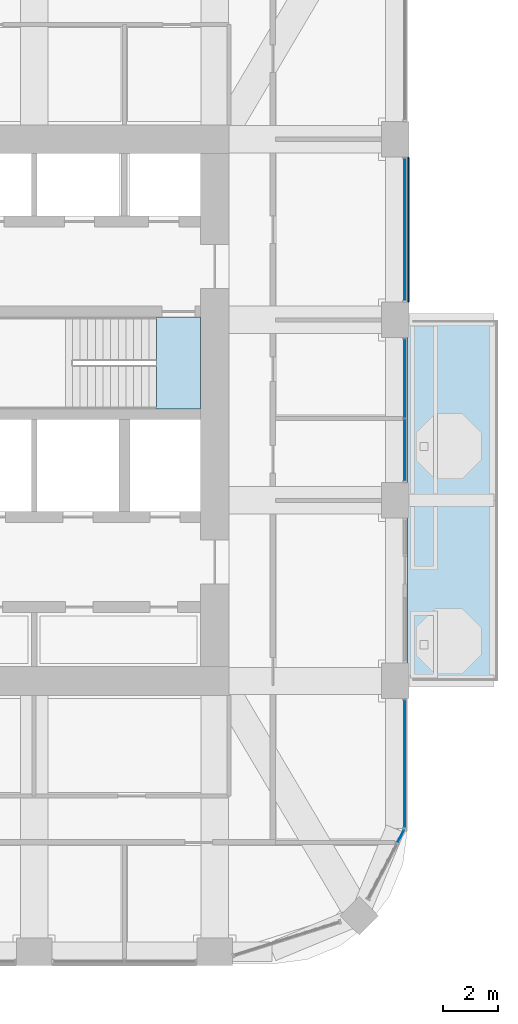
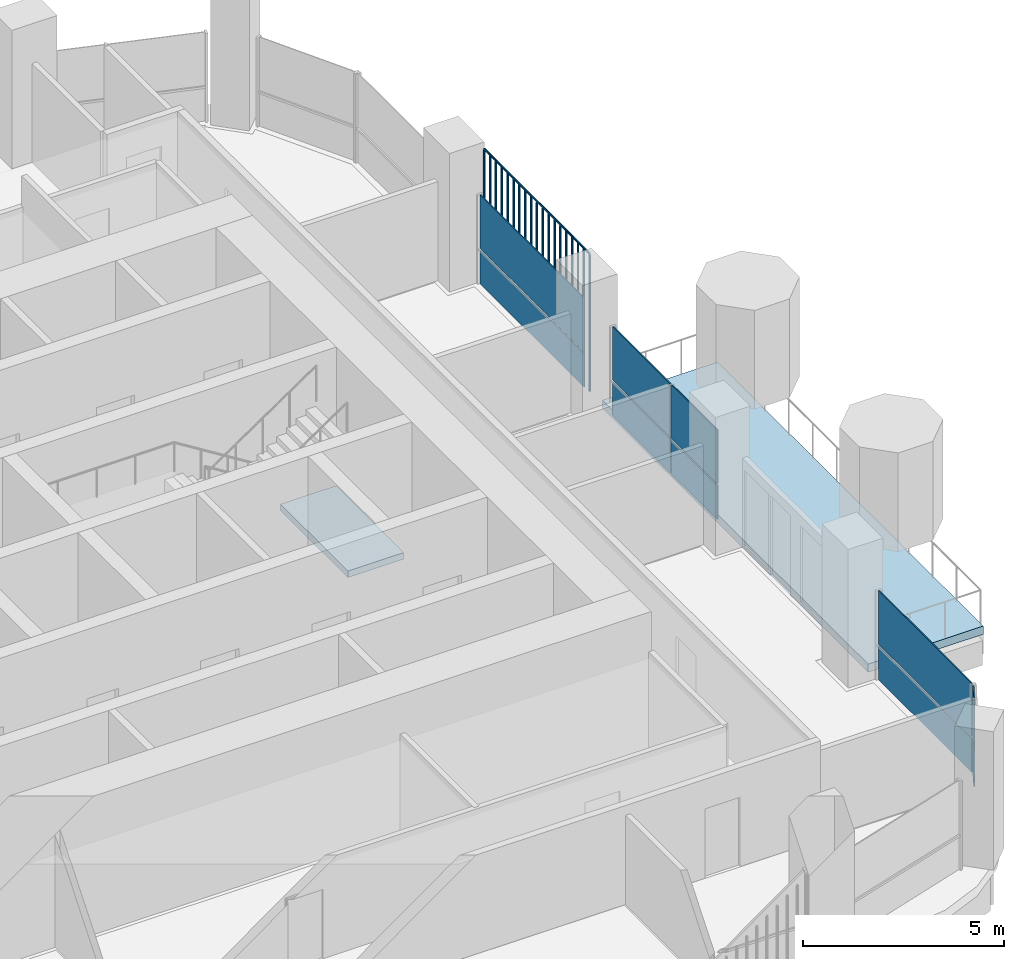
# One storey, part 10 of 20: 11 plates, 2 slabs, 5 elements without a shape of their own.
"""IFC4 building model written with IfcOpenShell, lengths in metres."""

from ifc_helpers import new_model, si_unit, direction, frame, origin, origin_2d, place, context, subcontext, project, spatial, polyline, rectangle, outline, extrude, material, layer, layer_set, type_object, element, aggregate, save


model = new_model("IFC4")

# Units and contexts
model_context = context("Model", 3, precision=1e-05, world=origin(), true_north=direction((0.0, 1.0)))
body_context = subcontext(model_context, "Body", "Model", "MODEL_VIEW")
ifc_project = project(units=[si_unit("LENGTHUNIT", "METRE"), si_unit("AREAUNIT", "SQUARE_METRE"), si_unit("VOLUMEUNIT", "CUBIC_METRE"), si_unit("PLANEANGLEUNIT", "RADIAN"), si_unit("MASSUNIT", "GRAM", prefix="KILO")], contexts=[model_context])

# Site, building, storey
site_placement = place(None, origin())
site = spatial("IfcSite", under=ifc_project, at=site_placement, CompositionType="ELEMENT")
building_placement = place(site_placement, origin())
building = spatial("IfcBuilding", under=site, at=building_placement, Name="Cobogo Forest Laboratory Tower", CompositionType="ELEMENT")
storey_placement = place(building_placement, frame((0.0, 0.0, 246.0)))
storey = spatial("IfcBuildingStorey", under=building, at=storey_placement, Name="L56", CompositionType="ELEMENT", Elevation=246.0)

# Slab
ifc_material_1 = material(Name="Concrete HA-40 (C40/50)", Category="concrete")
ifc_layer_1 = layer(ifc_material_1, 0.25)
ifc_layer_set_1 = layer_set([ifc_layer_1], Name="Balcony slab 250")
slab_type_1 = type_object("IfcSlabType", Name="Balcony slab 250", PredefinedType="FLOOR", material=ifc_layer_set_1)
slab_1_placement = place(storey_placement, frame((0.0, 0.0, -0.25)))
element("IfcSlab", 1, at=slab_1_placement, inside=storey, type_object=slab_type_1, Name="Balcony BAL-E1 L56", PredefinedType="FLOOR", context=body_context, shape_type="SweptSolid", body=[
    extrude(outline(polyline([(46.64990234375, 13.199951171875), (49.949951171875, 13.199951171875), (49.949951171875, 26.39990234375), (46.64990234375, 26.39990234375), (46.64990234375, 13.199951171875)])), origin(), (0.0, 0.0, 1.0), 0.25),
])

# Curtain wall, plates
ifc_material_2 = material(Name="Aluminium curtain wall", Category="aluminium")
curtain_wall_type = type_object("IfcCurtainWallType", Name="CW-2 unitised curtain wall, solar control glazing, laboratory floors zones C and D", PredefinedType="USERDEFINED", material=ifc_material_2)
curtain_wall_1_placement = place(storey_placement, origin())
curtain_wall_1 = element("IfcCurtainWall", 2, at=curtain_wall_1_placement, inside=storey, type_object=curtain_wall_type, Name="Curtain wall 06 L56", ObjectType="UNITISED CURTAIN WALL", PredefinedType="USERDEFINED")
ifc_material_3 = material(Name="Solar control insulated glass", Category="glass")
ifc_layer_2 = layer(ifc_material_3, 0.031982421875)
ifc_layer_set_2 = layer_set([ifc_layer_2], Name="GP-2 solar control glass unit 32")
plate_type_1 = type_object("IfcPlateType", Name="GP-2 solar control glass unit 32", PredefinedType="CURTAIN_PANEL", material=ifc_layer_set_2)
plate_1_placement = place(storey_placement, frame((46.40234375, 7.51806640625, 0.0), z_axis=(0.0, 0.0, 1.0), x_axis=(0.464283791352, 0.885686491422, 0.0)))
plate_1 = element("IfcPlate", 3, at=plate_1_placement, type_object=plate_type_1, Name="CW-2 panel 2.1", PredefinedType="CURTAIN_PANEL", context=body_context, shape_type="SweptSolid", body=[
    extrude(rectangle(XDim=0.516357421875, YDim=0.031982421875, at=origin_2d()), origin(), (0.0, 0.0, 1.0), 1.02001953125),
])
plate_2_placement = place(storey_placement, frame((46.40234375, 7.51806640625, 1.079833984375), z_axis=(0.0, 0.0, 1.0), x_axis=(0.464283791352, 0.885686491422, 0.0)))
plate_2 = element("IfcPlate", 4, at=plate_2_placement, type_object=plate_type_1, Name="CW-2 panel 2.2", PredefinedType="CURTAIN_PANEL", context=body_context, shape_type="SweptSolid", body=[
    extrude(rectangle(XDim=0.516357421875, YDim=0.031982421875, at=origin_2d()), origin(), (0.0, 0.0, 1.0), 1.6201171875),
])
aggregate(curtain_wall_1, [plate_1, plate_2])

curtain_wall_2_placement = place(storey_placement, origin())
curtain_wall_2 = element("IfcCurtainWall", 5, at=curtain_wall_2_placement, inside=storey, type_object=curtain_wall_type, Name="Curtain wall 07 L56", ObjectType="UNITISED CURTAIN WALL", PredefinedType="USERDEFINED")
plate_3_placement = place(storey_placement, frame((46.550048828125, 10.175048828125, 0.0), z_axis=(0.0, 0.0, 1.0), x_axis=(0.0, 1.0, 0.0)))
plate_3 = element("IfcPlate", 6, at=plate_3_placement, type_object=plate_type_1, Name="CW-2 panel 1.1", PredefinedType="CURTAIN_PANEL", context=body_context, shape_type="SweptSolid", body=[
    extrude(rectangle(XDim=4.6298828125, YDim=0.031982421875, at=origin_2d()), origin(), (0.0, 0.0, 1.0), 1.02001953125),
])
plate_4_placement = place(storey_placement, frame((46.550048828125, 10.175048828125, 1.079833984375), z_axis=(0.0, 0.0, 1.0), x_axis=(0.0, 1.0, 0.0)))
plate_4 = element("IfcPlate", 7, at=plate_4_placement, type_object=plate_type_1, Name="CW-2 panel 1.2", PredefinedType="CURTAIN_PANEL", context=body_context, shape_type="SweptSolid", body=[
    extrude(rectangle(XDim=4.6298828125, YDim=0.031982421875, at=origin_2d()), origin(), (0.0, 0.0, 1.0), 1.6201171875),
])
aggregate(curtain_wall_2, [plate_3, plate_4])

curtain_wall_3_placement = place(storey_placement, origin())
curtain_wall_3 = element("IfcCurtainWall", 8, at=curtain_wall_3_placement, inside=storey, type_object=curtain_wall_type, Name="Curtain wall 09 L56", ObjectType="UNITISED CURTAIN WALL", PredefinedType="USERDEFINED")
plate_5_placement = place(storey_placement, frame((46.550048828125, 21.639892578125, 0.0), z_axis=(0.0, 0.0, 1.0), x_axis=(0.0, 1.0, 0.0)))
plate_5 = element("IfcPlate", 9, at=plate_5_placement, type_object=plate_type_1, Name="CW-2 panel 1.1", PredefinedType="CURTAIN_PANEL", context=body_context, shape_type="SweptSolid", body=[
    extrude(rectangle(XDim=2.260009765625, YDim=0.031982421875, at=origin_2d()), origin(), (0.0, 0.0, 1.0), 1.02001953125),
])
plate_6_placement = place(storey_placement, frame((46.550048828125, 21.639892578125, 1.079833984375), z_axis=(0.0, 0.0, 1.0), x_axis=(0.0, 1.0, 0.0)))
plate_6 = element("IfcPlate", 10, at=plate_6_placement, type_object=plate_type_1, Name="CW-2 panel 1.2", PredefinedType="CURTAIN_PANEL", context=body_context, shape_type="SweptSolid", body=[
    extrude(rectangle(XDim=2.260009765625, YDim=0.031982421875, at=origin_2d()), origin(), (0.0, 0.0, 1.0), 1.6201171875),
])
plate_7_placement = place(storey_placement, frame((46.550048828125, 24.260009765625, 0.0), z_axis=(0.0, 0.0, 1.0), x_axis=(0.0, 1.0, 0.0)))
plate_7 = element("IfcPlate", 11, at=plate_7_placement, type_object=plate_type_1, Name="CW-2 panel 2.1", PredefinedType="CURTAIN_PANEL", context=body_context, shape_type="SweptSolid", body=[
    extrude(rectangle(XDim=2.860107421875, YDim=0.031982421875, at=origin_2d()), origin(), (0.0, 0.0, 1.0), 1.02001953125),
])
plate_8_placement = place(storey_placement, frame((46.550048828125, 24.260009765625, 1.079833984375), z_axis=(0.0, 0.0, 1.0), x_axis=(0.0, 1.0, 0.0)))
plate_8 = element("IfcPlate", 12, at=plate_8_placement, type_object=plate_type_1, Name="CW-2 panel 2.2", PredefinedType="CURTAIN_PANEL", context=body_context, shape_type="SweptSolid", body=[
    extrude(rectangle(XDim=2.860107421875, YDim=0.031982421875, at=origin_2d()), origin(), (0.0, 0.0, 1.0), 1.6201171875),
])
aggregate(curtain_wall_3, [plate_5, plate_6, plate_7, plate_8])

curtain_wall_4_placement = place(storey_placement, origin())
curtain_wall_4 = element("IfcCurtainWall", 13, at=curtain_wall_4_placement, inside=storey, type_object=curtain_wall_type, Name="Curtain wall 10 L56", ObjectType="UNITISED CURTAIN WALL", PredefinedType="USERDEFINED")
plate_9_placement = place(storey_placement, frame((46.550048828125, 29.699951171875, 0.0), z_axis=(0.0, 0.0, 1.0), x_axis=(0.0, 1.0, 0.0)))
plate_9 = element("IfcPlate", 14, at=plate_9_placement, type_object=plate_type_1, Name="CW-2 panel 1.1", PredefinedType="CURTAIN_PANEL", context=body_context, shape_type="SweptSolid", body=[
    extrude(rectangle(XDim=5.179931640625, YDim=0.031982421875, at=origin_2d()), origin(), (0.0, 0.0, 1.0), 1.02001953125),
])
plate_10_placement = place(storey_placement, frame((46.550048828125, 29.699951171875, 1.079833984375), z_axis=(0.0, 0.0, 1.0), x_axis=(0.0, 1.0, 0.0)))
plate_10 = element("IfcPlate", 15, at=plate_10_placement, type_object=plate_type_1, Name="CW-2 panel 1.2", PredefinedType="CURTAIN_PANEL", context=body_context, shape_type="SweptSolid", body=[
    extrude(rectangle(XDim=5.179931640625, YDim=0.031982421875, at=origin_2d()), origin(), (0.0, 0.0, 1.0), 1.6201171875),
])
aggregate(curtain_wall_4, [plate_9, plate_10])

# Stair, slab
ifc_material_4 = material(Name="Precast concrete HA-40 (C40/50)", Category="concrete")
stair_type = type_object("IfcStairType", Name="ST24 exit stair 24 risers", PredefinedType="HALF_TURN_STAIR", material=ifc_material_4)
stair_placement = place(storey_placement, origin())
stair = element("IfcStair", 16, at=stair_placement, inside=storey, type_object=stair_type, Name="Stair 2 L56 to L57", PredefinedType="HALF_TURN_STAIR")
ifc_layer_3 = layer(ifc_material_1, 0.199951171875)
ifc_layer_set_3 = layer_set([ifc_layer_3], Name="SL stair landing 200")
slab_type_2 = type_object("IfcSlabType", Name="SL stair landing 200", PredefinedType="LANDING", material=ifc_layer_set_3)
slab_2_placement = place(storey_placement, frame((0.0, 0.0, -0.199951171875)))
slab_2 = element("IfcSlab", 17, at=slab_2_placement, type_object=slab_type_2, Name="ST2 landing 1", PredefinedType="LANDING", context=body_context, shape_type="SweptSolid", body=[
    extrude(outline(polyline([(37.472900390625, 23.14990234375), (39.074951171875, 23.14990234375), (39.074951171875, 26.5), (37.472900390625, 26.5), (37.472900390625, 23.14990234375)])), origin(), (0.0, 0.0, 1.0), 0.199951171875),
])
aggregate(stair, [slab_2])

# Plate
ifc_material_5 = material(Name="Terracotta", Category="masonry")
plate_type_2 = type_object("IfcPlateType", Name="TB1 terracotta baguette screen", PredefinedType="USERDEFINED", material=ifc_material_5)
plate_11_placement = place(storey_placement, frame((46.677978515625, 27.081298828125, -0.14990234375)))
element("IfcPlate", 18, at=plate_11_placement, inside=storey, type_object=plate_type_2, Name="Baguette screen E3 L56", ObjectType="BAGUETTE SCREEN", PredefinedType="USERDEFINED", context=body_context, shape_type="SweptSolid", body=[
    extrude(outline(polyline([(0.02880859375, 0.011962890625), (0.011962890625, 0.02880859375), (-0.011962890625, 0.02880859375), (-0.02880859375, 0.011962890625), (-0.02880859375, -0.011962890625), (-0.011962890625, -0.02880859375), (0.011962890625, -0.02880859375), (0.02880859375, -0.011962890625), (0.02880859375, 0.011962890625)])), frame((0.0, 0.0, 4.168701171875), z_axis=(0.0, 1.0, 0.0), x_axis=(-1.0, 0.0, 0.0)), (0.0, 0.0, 1.0), 5.237548828125),
    extrude(outline(polyline([(0.02880859375, 0.011962890625), (0.011962890625, 0.02880859375), (-0.011962890625, 0.02880859375), (-0.02880859375, 0.011962890625), (-0.02880859375, -0.011962890625), (-0.011962890625, -0.02880859375), (0.011962890625, -0.02880859375), (0.02880859375, -0.011962890625), (0.02880859375, 0.011962890625)])), origin(), (0.0, 0.0, 1.0), 4.137451171875),
    extrude(outline(polyline([(0.02880859375, 0.011962890625), (0.011962890625, 0.02880859375), (-0.011962890625, 0.02880859375), (-0.02880859375, 0.011962890625), (-0.02880859375, -0.011962890625), (-0.011962890625, -0.02880859375), (0.011962890625, -0.02880859375), (0.02880859375, -0.011962890625), (0.02880859375, 0.011962890625)])), frame((0.0, 0.291015625, 0.0)), (0.0, 0.0, 1.0), 4.137451171875),
    extrude(outline(polyline([(0.02880859375, 0.011962890625), (0.011962890625, 0.02880859375), (-0.011962890625, 0.02880859375), (-0.02880859375, 0.011962890625), (-0.02880859375, -0.011962890625), (-0.011962890625, -0.02880859375), (0.011962890625, -0.02880859375), (0.02880859375, -0.011962890625), (0.02880859375, 0.011962890625)])), frame((0.0, 0.58203125, 0.0)), (0.0, 0.0, 1.0), 4.137451171875),
    extrude(outline(polyline([(0.02880859375, 0.011962890625), (0.011962890625, 0.02880859375), (-0.011962890625, 0.02880859375), (-0.02880859375, 0.011962890625), (-0.02880859375, -0.011962890625), (-0.011962890625, -0.02880859375), (0.011962890625, -0.02880859375), (0.02880859375, -0.011962890625), (0.02880859375, 0.011962890625)])), frame((0.0, 0.873046875, 0.0)), (0.0, 0.0, 1.0), 4.137451171875),
    extrude(outline(polyline([(0.02880859375, 0.011962890625), (0.011962890625, 0.02880859375), (-0.011962890625, 0.02880859375), (-0.02880859375, 0.011962890625), (-0.02880859375, -0.011962890625), (-0.011962890625, -0.02880859375), (0.011962890625, -0.02880859375), (0.02880859375, -0.011962890625), (0.02880859375, 0.011962890625)])), frame((0.0, 1.163818359375, 0.0)), (0.0, 0.0, 1.0), 4.137451171875),
    extrude(outline(polyline([(0.02880859375, 0.011962890625), (0.011962890625, 0.02880859375), (-0.011962890625, 0.02880859375), (-0.02880859375, 0.011962890625), (-0.02880859375, -0.011962890625), (-0.011962890625, -0.02880859375), (0.011962890625, -0.02880859375), (0.02880859375, -0.011962890625), (0.02880859375, 0.011962890625)])), frame((0.0, 1.454833984375, 0.0)), (0.0, 0.0, 1.0), 4.137451171875),
    extrude(outline(polyline([(0.02880859375, 0.011962890625), (0.011962890625, 0.02880859375), (-0.011962890625, 0.02880859375), (-0.02880859375, 0.011962890625), (-0.02880859375, -0.011962890625), (-0.011962890625, -0.02880859375), (0.011962890625, -0.02880859375), (0.02880859375, -0.011962890625), (0.02880859375, 0.011962890625)])), frame((0.0, 1.745849609375, 0.0)), (0.0, 0.0, 1.0), 4.137451171875),
    extrude(outline(polyline([(0.02880859375, 0.011962890625), (0.011962890625, 0.02880859375), (-0.011962890625, 0.02880859375), (-0.02880859375, 0.011962890625), (-0.02880859375, -0.011962890625), (-0.011962890625, -0.02880859375), (0.011962890625, -0.02880859375), (0.02880859375, -0.011962890625), (0.02880859375, 0.011962890625)])), frame((0.0, 2.036865234375, 0.0)), (0.0, 0.0, 1.0), 4.137451171875),
    extrude(outline(polyline([(0.02880859375, 0.011962890625), (0.011962890625, 0.02880859375), (-0.011962890625, 0.02880859375), (-0.02880859375, 0.011962890625), (-0.02880859375, -0.011962890625), (-0.011962890625, -0.02880859375), (0.011962890625, -0.02880859375), (0.02880859375, -0.011962890625), (0.02880859375, 0.011962890625)])), frame((0.0, 2.327880859375, 0.0)), (0.0, 0.0, 1.0), 4.137451171875),
    extrude(outline(polyline([(0.02880859375, 0.011962890625), (0.011962890625, 0.02880859375), (-0.011962890625, 0.02880859375), (-0.02880859375, 0.011962890625), (-0.02880859375, -0.011962890625), (-0.011962890625, -0.02880859375), (0.011962890625, -0.02880859375), (0.02880859375, -0.011962890625), (0.02880859375, 0.011962890625)])), frame((0.0, 2.61865234375, 0.0)), (0.0, 0.0, 1.0), 4.137451171875),
    extrude(outline(polyline([(0.02880859375, 0.011962890625), (0.011962890625, 0.02880859375), (-0.011962890625, 0.02880859375), (-0.02880859375, 0.011962890625), (-0.02880859375, -0.011962890625), (-0.011962890625, -0.02880859375), (0.011962890625, -0.02880859375), (0.02880859375, -0.011962890625), (0.02880859375, 0.011962890625)])), frame((0.0, 2.90966796875, 0.0)), (0.0, 0.0, 1.0), 4.137451171875),
    extrude(outline(polyline([(0.02880859375, 0.011962890625), (0.011962890625, 0.02880859375), (-0.011962890625, 0.02880859375), (-0.02880859375, 0.011962890625), (-0.02880859375, -0.011962890625), (-0.011962890625, -0.02880859375), (0.011962890625, -0.02880859375), (0.02880859375, -0.011962890625), (0.02880859375, 0.011962890625)])), frame((0.0, 3.20068359375, 0.0)), (0.0, 0.0, 1.0), 4.137451171875),
    extrude(outline(polyline([(0.02880859375, 0.011962890625), (0.011962890625, 0.02880859375), (-0.011962890625, 0.02880859375), (-0.02880859375, 0.011962890625), (-0.02880859375, -0.011962890625), (-0.011962890625, -0.02880859375), (0.011962890625, -0.02880859375), (0.02880859375, -0.011962890625), (0.02880859375, 0.011962890625)])), frame((0.0, 3.49169921875, 0.0)), (0.0, 0.0, 1.0), 4.137451171875),
    extrude(outline(polyline([(0.02880859375, 0.011962890625), (0.011962890625, 0.02880859375), (-0.011962890625, 0.02880859375), (-0.02880859375, 0.011962890625), (-0.02880859375, -0.011962890625), (-0.011962890625, -0.02880859375), (0.011962890625, -0.02880859375), (0.02880859375, -0.011962890625), (0.02880859375, 0.011962890625)])), frame((0.0, 3.78271484375, 0.0)), (0.0, 0.0, 1.0), 4.137451171875),
    extrude(outline(polyline([(0.02880859375, 0.011962890625), (0.011962890625, 0.02880859375), (-0.011962890625, 0.02880859375), (-0.02880859375, 0.011962890625), (-0.02880859375, -0.011962890625), (-0.011962890625, -0.02880859375), (0.011962890625, -0.02880859375), (0.02880859375, -0.011962890625), (0.02880859375, 0.011962890625)])), frame((0.0, 4.07373046875, 0.0)), (0.0, 0.0, 1.0), 4.137451171875),
    extrude(outline(polyline([(0.02880859375, 0.011962890625), (0.011962890625, 0.02880859375), (-0.011962890625, 0.02880859375), (-0.02880859375, 0.011962890625), (-0.02880859375, -0.011962890625), (-0.011962890625, -0.02880859375), (0.011962890625, -0.02880859375), (0.02880859375, -0.011962890625), (0.02880859375, 0.011962890625)])), frame((0.0, 4.36474609375, 0.0)), (0.0, 0.0, 1.0), 4.137451171875),
    extrude(outline(polyline([(0.02880859375, 0.011962890625), (0.011962890625, 0.02880859375), (-0.011962890625, 0.02880859375), (-0.02880859375, 0.011962890625), (-0.02880859375, -0.011962890625), (-0.011962890625, -0.02880859375), (0.011962890625, -0.02880859375), (0.02880859375, -0.011962890625), (0.02880859375, 0.011962890625)])), frame((0.0, 4.655517578125, 0.0)), (0.0, 0.0, 1.0), 4.137451171875),
    extrude(outline(polyline([(0.02880859375, 0.011962890625), (0.011962890625, 0.02880859375), (-0.011962890625, 0.02880859375), (-0.02880859375, 0.011962890625), (-0.02880859375, -0.011962890625), (-0.011962890625, -0.02880859375), (0.011962890625, -0.02880859375), (0.02880859375, -0.011962890625), (0.02880859375, 0.011962890625)])), frame((0.0, 4.946533203125, 0.0)), (0.0, 0.0, 1.0), 4.137451171875),
    extrude(outline(polyline([(0.02880859375, 0.011962890625), (0.011962890625, 0.02880859375), (-0.011962890625, 0.02880859375), (-0.02880859375, 0.011962890625), (-0.02880859375, -0.011962890625), (-0.011962890625, -0.02880859375), (0.011962890625, -0.02880859375), (0.02880859375, -0.011962890625), (0.02880859375, 0.011962890625)])), frame((0.0, 5.237548828125, 0.0)), (0.0, 0.0, 1.0), 4.137451171875),
])

save(model, "model.ifc")
